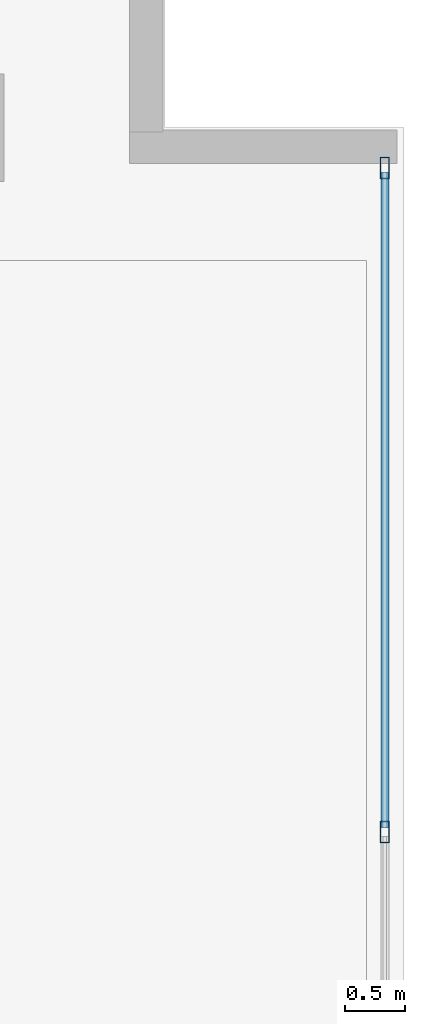
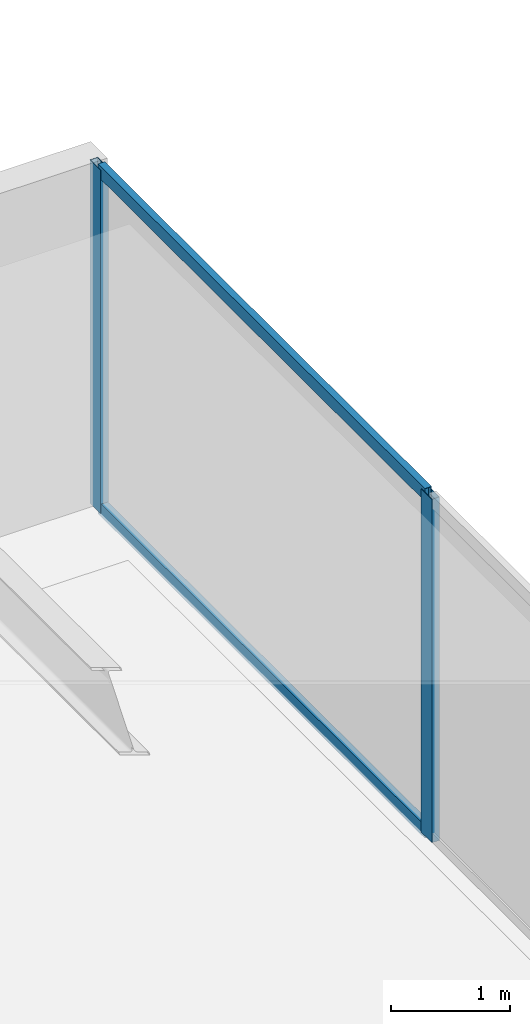
# One storey, part 18 of 32: 4 members, 1 element without a shape of its own.
"""IFC4 building model written with IfcOpenShell, lengths in metres."""

from ifc_helpers import new_model, si_unit, direction, frame, origin, origin_with_axes, origin_2d, place, context, subcontext, project, spatial, hollow_rectangle, extrude, source, transform, mapped, material, layer, layer_set, material_profile, profile_set, type_object, element, aggregate, save


model = new_model("IFC4")

# Units and contexts
model_context = context("Model", 3, precision=1e-05, world=origin(), true_north=direction((0.0, 1.0)))
body_context = subcontext(model_context, "Body", "Model", "MODEL_VIEW")
ifc_project = project(units=[si_unit("LENGTHUNIT", "METRE"), si_unit("AREAUNIT", "SQUARE_METRE"), si_unit("VOLUMEUNIT", "CUBIC_METRE"), si_unit("PLANEANGLEUNIT", "RADIAN"), si_unit("MASSUNIT", "GRAM", prefix="KILO")], contexts=[model_context])

# Site, building, storey
site_placement = place(None, origin())
site = spatial("IfcSite", under=ifc_project, at=site_placement, CompositionType="ELEMENT")
building_placement = place(site_placement, origin())
building = spatial("IfcBuilding", under=site, at=building_placement, Name="Kolvaren Waterfront Exchange", CompositionType="ELEMENT")
storey_placement = place(building_placement, frame((0.0, 0.0, 348.10009765625)))
storey = spatial("IfcBuildingStorey", under=building, at=storey_placement, Name="L89", CompositionType="ELEMENT", Elevation=348.10009765625)

# Curtain wall, members
ifc_material = material(Name="Anodised bronze aluminium 6063-T6", Category="aluminium")
ifc_layer = layer(ifc_material, 0.219970703125, Name="Anodised bronze aluminium 6063-T6")
ifc_layer_set = layer_set([ifc_layer], Name="Anodised bronze aluminium 6063-T6")
curtain_wall_type = type_object("IfcCurtainWallType", Name="ARC-CW-SYS5", PredefinedType="USERDEFINED", material=ifc_layer_set)
curtain_wall_placement = place(storey_placement, origin())
curtain_wall = element("IfcCurtainWall", 1, at=curtain_wall_placement, inside=storey, type_object=curtain_wall_type, Name="L89 stick curtain wall CW5 (CW-L89-ET)", ObjectType="STICK CURTAIN WALL", PredefinedType="USERDEFINED")
ifc_material_profile_1 = material_profile(ifc_material, hollow_rectangle(XDim=0.06494140625, YDim=0.1298828125, WallThickness=0.00390625, at=origin_2d()), Name="ALU-TRN-130x65x4")
ifc_profile_set_1 = profile_set([ifc_material_profile_1], Name="Anodised bronze aluminium 6063-T6")
member_type_1 = type_object("IfcMemberType", Name="ARC-CWT-130", PredefinedType="USERDEFINED", material=ifc_profile_set_1)
shared_shape_1 = source(origin_with_axes(), body_context, "Body", "SweptSolid", [
    extrude(hollow_rectangle(XDim=0.06494140625, YDim=0.1298828125, WallThickness=0.00390625, at=origin_2d()), origin(), (0.0, 0.0, 1.0), 5.4873046875),
])
member_1_placement = place(storey_placement, frame((49.239990234375, 11.53759765625, 0.032470703125), z_axis=(0.0, 1.0, 0.0), x_axis=(-1.0, 0.0, 0.0)))
member_1 = element("IfcMember", 2, at=member_1_placement, type_object=member_type_1, Name="CW5 transom 2.1", ObjectType="TRANSOM", PredefinedType="USERDEFINED", context=body_context, shape_type="MappedRepresentation", body=[
    mapped(shared_shape_1, transform((0.0, 0.0, 0.0), x_axis=(1.0, 0.0, 0.0), y_axis=(0.0, 1.0, 0.0), z_axis=(0.0, 0.0, 1.0), scale=1.0)),
])
member_2_placement = place(storey_placement, frame((49.239990234375, 11.53759765625, 3.4873046875), z_axis=(0.0, 1.0, 0.0), x_axis=(-1.0, 0.0, 0.0)))
member_2 = element("IfcMember", 3, at=member_2_placement, type_object=member_type_1, Name="CW5 transom 2.2", ObjectType="TRANSOM", PredefinedType="USERDEFINED", context=body_context, shape_type="MappedRepresentation", body=[
    mapped(shared_shape_1, transform((0.0, 0.0, 0.0), x_axis=(1.0, 0.0, 0.0), y_axis=(0.0, 1.0, 0.0), z_axis=(0.0, 0.0, 1.0), scale=1.0)),
])
ifc_material_profile_2 = material_profile(ifc_material, hollow_rectangle(XDim=0.074951171875, YDim=0.179931640625, WallThickness=0.00439453125, at=origin_2d()), Name="ALU-MUL-180x75x4.5")
ifc_profile_set_2 = profile_set([ifc_material_profile_2], Name="Anodised bronze aluminium 6063-T6")
member_type_2 = type_object("IfcMemberType", Name="ARC-CWM-180", PredefinedType="MULLION", material=ifc_profile_set_2)
shared_shape_2 = source(origin_with_axes(), body_context, "Body", "SweptSolid", [
    extrude(hollow_rectangle(XDim=0.074951171875, YDim=0.179931640625, WallThickness=0.00439453125, at=origin_2d()), origin(), (0.0, 0.0, 1.0), 3.52001953125),
])
member_3_placement = place(storey_placement, frame((49.239990234375, 11.5, 0.0), z_axis=(0.0, 0.0, 1.0), x_axis=(-1.0, 0.0, 0.0)))
member_3 = element("IfcMember", 4, at=member_3_placement, type_object=member_type_2, Name="CW5 mullion 2", PredefinedType="MULLION", context=body_context, shape_type="MappedRepresentation", body=[
    mapped(shared_shape_2, transform((0.0, 0.0, 0.0), x_axis=(1.0, 0.0, 0.0), y_axis=(0.0, 1.0, 0.0), z_axis=(0.0, 0.0, 1.0), scale=1.0)),
])
member_4_placement = place(storey_placement, frame((49.239990234375, 17.0625, 0.0), z_axis=(0.0, 0.0, 1.0), x_axis=(-1.0, 0.0, 0.0)))
member_4 = element("IfcMember", 5, at=member_4_placement, type_object=member_type_2, Name="CW5 mullion 3", PredefinedType="MULLION", context=body_context, shape_type="MappedRepresentation", body=[
    mapped(shared_shape_2, transform((0.0, 0.0, 0.0), x_axis=(1.0, 0.0, 0.0), y_axis=(0.0, 1.0, 0.0), z_axis=(0.0, 0.0, 1.0), scale=1.0)),
])
aggregate(curtain_wall, [member_3, member_4, member_1, member_2])

save(model, "model.ifc")
